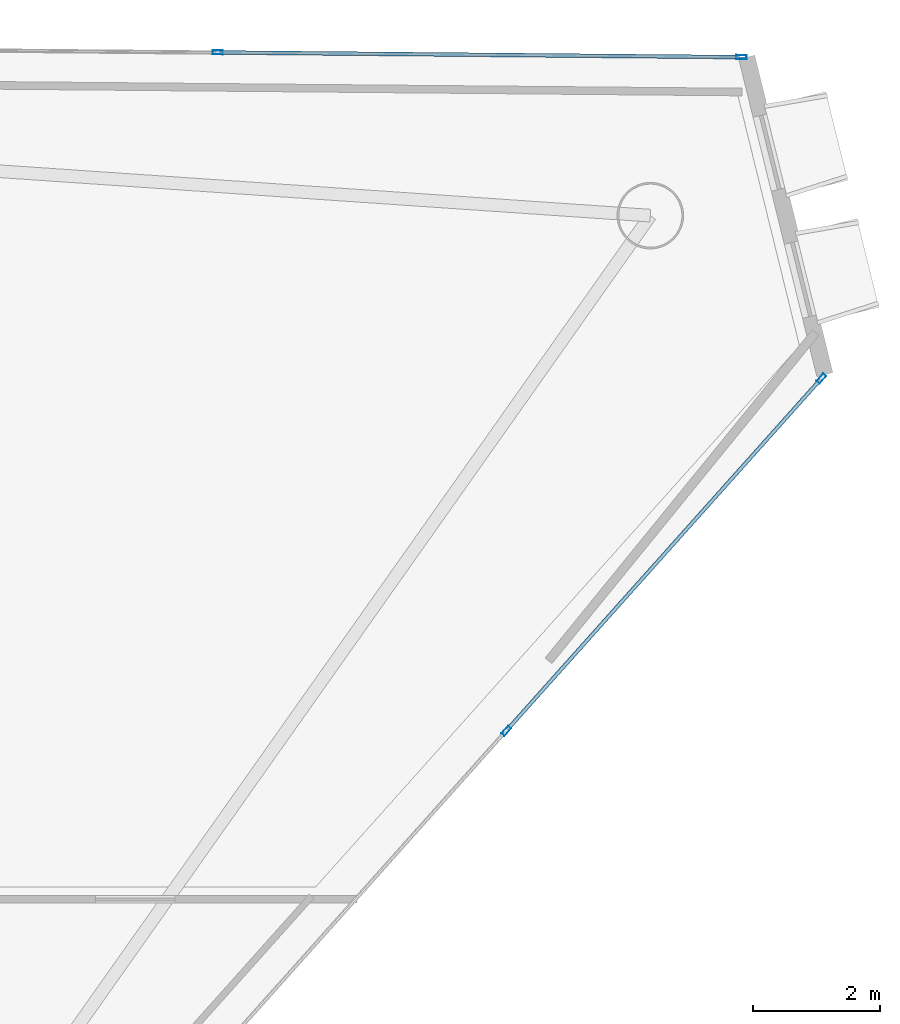
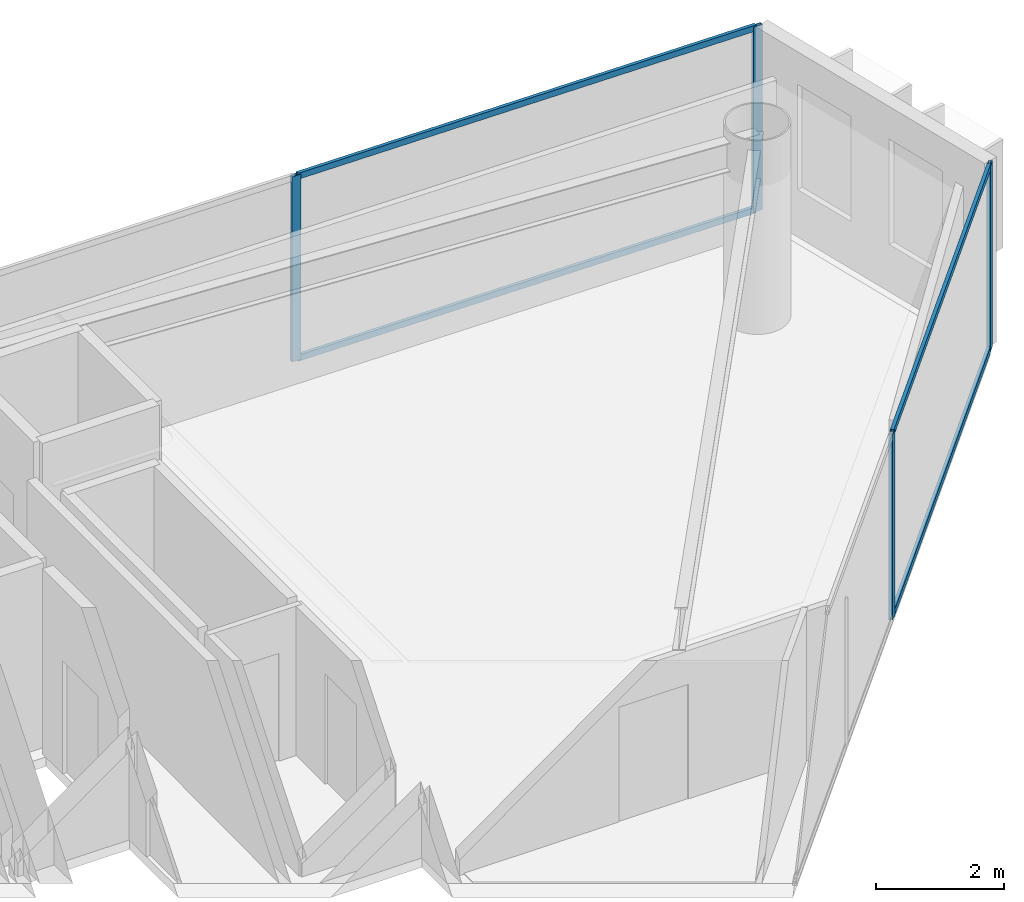
# One storey, part 14 of 21: 8 members, 2 elements without a shape of their own.
"""IFC4 building model written with IfcOpenShell, lengths in metres."""

from ifc_helpers import new_model, si_unit, direction, frame, origin, origin_2d, place, context, subcontext, project, spatial, hollow_rectangle, extrude, material, layer, layer_set, material_profile, profile_set, type_object, element, aggregate, save


model = new_model("IFC4")

# Units and contexts
model_context = context("Model", 3, precision=1e-05, world=origin(), true_north=direction((0.0, 1.0)))
body_context = subcontext(model_context, "Body", "Model", "MODEL_VIEW")
ifc_project = project(units=[si_unit("LENGTHUNIT", "METRE"), si_unit("AREAUNIT", "SQUARE_METRE"), si_unit("VOLUMEUNIT", "CUBIC_METRE"), si_unit("PLANEANGLEUNIT", "RADIAN"), si_unit("MASSUNIT", "GRAM", prefix="KILO")], contexts=[model_context])

# Site, building, storey
site_placement = place(None, origin())
site = spatial("IfcSite", under=ifc_project, at=site_placement, CompositionType="ELEMENT")
building_placement = place(site_placement, origin())
building = spatial("IfcBuilding", under=site, at=building_placement, Name="Qianvela Tower", CompositionType="ELEMENT")
storey_placement = place(building_placement, frame((0.0, 0.0, 250.10009765625)))
storey = spatial("IfcBuildingStorey", under=building, at=storey_placement, Name="L64", CompositionType="ELEMENT", Elevation=250.10009765625)

# Curtain wall, members
ifc_material_1 = material(Name="Anodised Architectural Aluminium and Low-E Glass", Category="aluminium")
ifc_layer = layer(ifc_material_1, 0.159912109375)
ifc_layer_set = layer_set([ifc_layer], Name="Anodised Architectural Aluminium and Low-E Glass")
curtain_wall_type = type_object("IfcCurtainWallType", Name="CW-COLIV-Z56", PredefinedType="USERDEFINED", material=ifc_layer_set)
curtain_wall_1_placement = place(storey_placement, origin())
curtain_wall_1 = element("IfcCurtainWall", 1, at=curtain_wall_1_placement, inside=storey, type_object=curtain_wall_type, Name="L64 CW-COLIV-Z56 Curtain Wall 02A", ObjectType="CURTAIN_WALL_SYSTEM", PredefinedType="USERDEFINED")
ifc_material_2 = material(Name="Anodised Architectural Aluminium 6063-T6", Category="aluminium")
ifc_material_profile_1 = material_profile(ifc_material_2, hollow_rectangle(XDim=0.06494140625, YDim=0.159912109375, WallThickness=0.0048828125, at=origin_2d()), Name="ALU-MULL-65x160")
ifc_profile_set_1 = profile_set([ifc_material_profile_1], Name="Anodised Architectural Aluminium 6063-T6")
member_type_1 = type_object("IfcMemberType", Name="CW-COLIV-Z56-MULL", PredefinedType="MULLION", material=ifc_profile_set_1)
member_1_placement = place(storey_placement, frame((56.77001953125, 37.104736328125, 0.0), z_axis=(0.0, 0.0, 1.0), x_axis=(-0.008956593067, -0.999959888916, 0.0)))
member_1 = element("IfcMember", 2, at=member_1_placement, type_object=member_type_1, Name="CW-5 mullion 1", PredefinedType="MULLION", context=body_context, shape_type="SweptSolid", body=[
    extrude(hollow_rectangle(XDim=0.06494140625, YDim=0.159912109375, WallThickness=0.0048828125, at=origin_2d()), origin(), (0.0, 0.0, 1.0), 3.52001953125),
])
member_2_placement = place(storey_placement, frame((48.512939453125, 37.1787109375, 0.0), z_axis=(0.0, 0.0, 1.0), x_axis=(-0.008956593067, -0.999959888916, 0.0)))
member_2 = element("IfcMember", 3, at=member_2_placement, type_object=member_type_1, Name="CW-5 mullion 2", PredefinedType="MULLION", context=body_context, shape_type="SweptSolid", body=[
    extrude(hollow_rectangle(XDim=0.06494140625, YDim=0.159912109375, WallThickness=0.0048828125, at=origin_2d()), origin(), (0.0, 0.0, 1.0), 3.52001953125),
])

curtain_wall_2_placement = place(storey_placement, origin())
curtain_wall_2 = element("IfcCurtainWall", 4, at=curtain_wall_2_placement, inside=storey, type_object=curtain_wall_type, Name="L64 CW-COLIV-Z56 Curtain Wall 06B", ObjectType="CURTAIN_WALL_SYSTEM", PredefinedType="USERDEFINED")
member_3_placement = place(storey_placement, frame((53.06103515625, 26.4833984375, 0.0), z_axis=(0.0, 0.0, 1.0), x_axis=(-0.745393662226, 0.666624548237, 0.0)))
member_3 = element("IfcMember", 5, at=member_3_placement, type_object=member_type_1, Name="CW-5 mullion 2", PredefinedType="MULLION", context=body_context, shape_type="SweptSolid", body=[
    extrude(hollow_rectangle(XDim=0.06494140625, YDim=0.159912109375, WallThickness=0.0048828125, at=origin_2d()), origin(), (0.0, 0.0, 1.0), 3.52001953125),
])
member_4_placement = place(storey_placement, frame((58.0283203125, 32.03759765625, 0.0), z_axis=(0.0, 0.0, 1.0), x_axis=(-0.745393662226, 0.666624548237, 0.0)))
member_4 = element("IfcMember", 6, at=member_4_placement, type_object=member_type_1, Name="CW-5 mullion 3", PredefinedType="MULLION", context=body_context, shape_type="SweptSolid", body=[
    extrude(hollow_rectangle(XDim=0.06494140625, YDim=0.159912109375, WallThickness=0.0048828125, at=origin_2d()), origin(), (0.0, 0.0, 1.0), 3.52001953125),
])

# Member
ifc_material_3 = material(Name="Anodised Architectural Aluminium 6063-T6", Category="aluminium")
ifc_material_profile_2 = material_profile(ifc_material_3, hollow_rectangle(XDim=0.06005859375, YDim=0.114990234375, WallThickness=0.00390625, at=origin_2d()), Name="ALU-TRAN-60x115")
ifc_profile_set_2 = profile_set([ifc_material_profile_2], Name="Anodised Architectural Aluminium 6063-T6")
member_type_2 = type_object("IfcMemberType", Name="CW-COLIV-Z56-TRAN", PredefinedType="USERDEFINED", material=ifc_profile_set_2)
member_5_placement = place(storey_placement, frame((56.737548828125, 37.10498046875, 0.02978515625), z_axis=(-0.999959768864, 0.008969986304, 0.0), x_axis=(-0.008969986304, -0.999959768864, 0.0)))
member_5 = element("IfcMember", 7, at=member_5_placement, type_object=member_type_2, Name="CW-5 transom 1.1", ObjectType="TRANSOM", PredefinedType="USERDEFINED", context=body_context, shape_type="SweptSolid", body=[
    extrude(hollow_rectangle(XDim=0.06005859375, YDim=0.114990234375, WallThickness=0.00390625, at=origin_2d()), origin(), (0.0, 0.0, 1.0), 8.1923828125),
])

member_6_placement = place(storey_placement, frame((56.737548828125, 37.10498046875, 3.489990234375), z_axis=(-0.999959768864, 0.008969986304, 0.0), x_axis=(-0.008969986304, -0.999959768864, 0.0)))
member_6 = element("IfcMember", 8, at=member_6_placement, type_object=member_type_2, Name="CW-5 transom 1.2", ObjectType="TRANSOM", PredefinedType="USERDEFINED", context=body_context, shape_type="SweptSolid", body=[
    extrude(hollow_rectangle(XDim=0.06005859375, YDim=0.114990234375, WallThickness=0.00390625, at=origin_2d()), origin(), (0.0, 0.0, 1.0), 8.1923828125),
])

aggregate(curtain_wall_1, [member_1, member_2, member_5, member_6])

member_7_placement = place(storey_placement, frame((53.082763671875, 26.507568359375, 0.02978515625), z_axis=(0.666627700798, 0.745390842799, 0.0), x_axis=(-0.745390842799, 0.666627700798, 0.0)))
member_7 = element("IfcMember", 9, at=member_7_placement, type_object=member_type_2, Name="CW-5 transom 2.1", ObjectType="TRANSOM", PredefinedType="USERDEFINED", context=body_context, shape_type="SweptSolid", body=[
    extrude(hollow_rectangle(XDim=0.06005859375, YDim=0.114990234375, WallThickness=0.00390625, at=origin_2d()), origin(), (0.0, 0.0, 1.0), 7.386474609375),
])

member_8_placement = place(storey_placement, frame((53.082763671875, 26.507568359375, 3.489990234375), z_axis=(0.666627700798, 0.745390842799, 0.0), x_axis=(-0.745390842799, 0.666627700798, 0.0)))
member_8 = element("IfcMember", 10, at=member_8_placement, type_object=member_type_2, Name="CW-5 transom 2.2", ObjectType="TRANSOM", PredefinedType="USERDEFINED", context=body_context, shape_type="SweptSolid", body=[
    extrude(hollow_rectangle(XDim=0.06005859375, YDim=0.114990234375, WallThickness=0.00390625, at=origin_2d()), origin(), (0.0, 0.0, 1.0), 7.386474609375),
])

aggregate(curtain_wall_2, [member_3, member_4, member_7, member_8])

save(model, "model.ifc")
